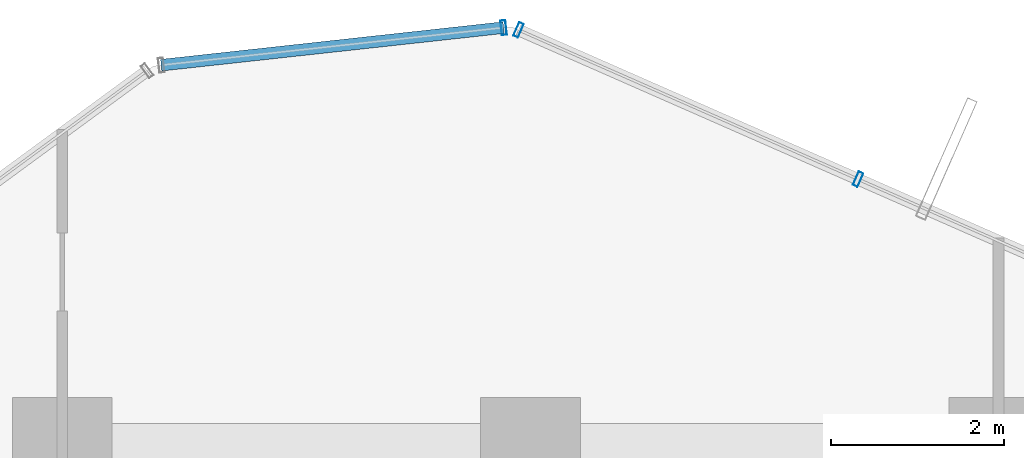
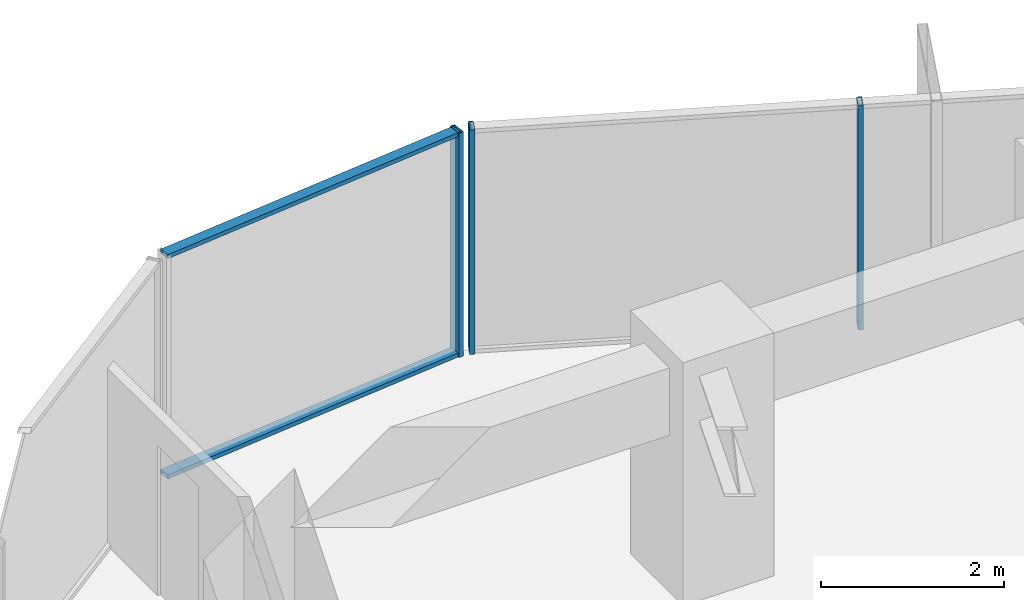
# One storey, part 26 of 34: 5 members, 2 elements without a shape of their own.
"""IFC4 building model written with IfcOpenShell, lengths in metres."""

from ifc_helpers import new_model, si_unit, direction, frame, origin, origin_2d, place, context, subcontext, project, spatial, hollow_rectangle, extrude, source, transform, mapped, material, layer, layer_set, material_profile, profile_set, type_object, element, aggregate, save


model = new_model("IFC4")

# Units and contexts
model_context = context("Model", 3, precision=1e-05, world=origin(), true_north=direction((0.0, 1.0)))
body_context = subcontext(model_context, "Body", "Model", "MODEL_VIEW")
ifc_project = project(units=[si_unit("LENGTHUNIT", "METRE"), si_unit("AREAUNIT", "SQUARE_METRE"), si_unit("VOLUMEUNIT", "CUBIC_METRE"), si_unit("PLANEANGLEUNIT", "RADIAN"), si_unit("MASSUNIT", "GRAM", prefix="KILO")], contexts=[model_context])

# Site, building, storey
site_placement = place(None, origin())
site = spatial("IfcSite", under=ifc_project, at=site_placement, CompositionType="ELEMENT")
building_placement = place(site_placement, origin())
building = spatial("IfcBuilding", under=site, at=building_placement, Name="Veraguas Prism Commons", CompositionType="ELEMENT")
storey_placement = place(building_placement, frame((0.0, 0.0, 149.0)))
storey = spatial("IfcBuildingStorey", under=building, at=storey_placement, Name="L42", CompositionType="ELEMENT", Elevation=149.0)

# Curtain wall, members
ifc_material = material(Name="Anodised aluminium EN AW-6063 T6", Category="aluminium")
ifc_layer = layer(ifc_material, 0.169921875, Name="Unitised Flush Curtain Wall Zone 2", Category="aluminium")
ifc_layer_set = layer_set([ifc_layer], Name="Anodised aluminium EN AW-6063 T6")
curtain_wall_type = type_object("IfcCurtainWallType", Name="Unitised Flush Curtain Wall Zone 2", PredefinedType="NOTDEFINED", material=ifc_layer_set)
curtain_wall_1_placement = place(storey_placement, origin())
curtain_wall_1 = element("IfcCurtainWall", 1, at=curtain_wall_1_placement, inside=storey, type_object=curtain_wall_type, Name="Tower Facade Curtain Wall L42-F1", PredefinedType="NOTDEFINED")
ifc_material_profile_1 = material_profile(ifc_material, hollow_rectangle(XDim=0.06005859375, YDim=0.169921875, WallThickness=0.00390625, at=origin_2d()), Name="AL60X170X4")
ifc_profile_set_1 = profile_set([ifc_material_profile_1], Name="Anodised aluminium EN AW-6063 T6")
member_type_1 = type_object("IfcMemberType", Name="Curtain Wall Mullion Lower AL 60x170x4", PredefinedType="MULLION", material=ifc_profile_set_1)
shared_shape_1 = source(origin(), body_context, "Body", "SweptSolid", [
    extrude(hollow_rectangle(XDim=0.06005859375, YDim=0.169921875, WallThickness=0.00390625, at=origin_2d()), origin(), (0.0, 0.0, 1.0), 3.0),
])
member_1_placement = place(storey_placement, frame((27.778564453125, 43.2939453125, 0.0), z_axis=(0.0, 0.0, 1.0), x_axis=(-0.915385270935, 0.402578943507, 0.0)))
member_1 = element("IfcMember", 2, at=member_1_placement, type_object=member_type_1, Name="CW-Z2 Mullion 4", PredefinedType="MULLION", context=body_context, shape_type="MappedRepresentation", body=[
    mapped(shared_shape_1, transform((0.0, 0.0, 0.0), scale=1.0)),
])
member_2_placement = place(storey_placement, frame((23.862060546875, 45.016357421875, 0.0), z_axis=(0.0, 0.0, 1.0), x_axis=(-0.915385270935, 0.402578943507, 0.0)))
member_2 = element("IfcMember", 3, at=member_2_placement, type_object=member_type_1, Name="CW-Z2 Mullion 5", PredefinedType="MULLION", context=body_context, shape_type="MappedRepresentation", body=[
    mapped(shared_shape_1, transform((0.0, 0.0, 0.0), scale=1.0)),
])
aggregate(curtain_wall_1, [member_1, member_2])

curtain_wall_2_placement = place(storey_placement, origin())
curtain_wall_2 = element("IfcCurtainWall", 4, at=curtain_wall_2_placement, inside=storey, type_object=curtain_wall_type, Name="Chamfer Curtain Wall L42-C2", PredefinedType="NOTDEFINED")
member_3_placement = place(storey_placement, frame((23.690185546875, 45.042724609375, 0.0), z_axis=(0.0, 0.0, 1.0), x_axis=(-0.994034276859, -0.10906812747, 0.0)))
member_3 = element("IfcMember", 5, at=member_3_placement, type_object=member_type_1, Name="CW-Z2 Mullion 1", PredefinedType="MULLION", context=body_context, shape_type="MappedRepresentation", body=[
    mapped(shared_shape_1, transform((0.0, 0.0, 0.0), scale=1.0)),
])
ifc_material_profile_2 = material_profile(ifc_material, hollow_rectangle(XDim=0.054931640625, YDim=0.135009765625, WallThickness=0.0029296875, at=origin_2d()), Name="AL55X135X3")
ifc_profile_set_2 = profile_set([ifc_material_profile_2], Name="Anodised aluminium EN AW-6063 T6")
member_type_2 = type_object("IfcMemberType", Name="Curtain Wall Transom Standard AL 55x135x3", PredefinedType="USERDEFINED", material=ifc_profile_set_2)
shared_shape_2 = source(origin(), body_context, "Body", "SweptSolid", [
    extrude(hollow_rectangle(XDim=0.054931640625, YDim=0.135009765625, WallThickness=0.0029296875, at=origin_2d()), origin(), (0.0, 0.0, 1.0), 3.97314453125),
])
member_4_placement = place(storey_placement, frame((23.690185546875, 45.042724609375, 0.027587890625), z_axis=(-0.994034171347, -0.109069089086, 0.0), x_axis=(0.0, 0.0, 1.0)))
member_4 = element("IfcMember", 6, at=member_4_placement, type_object=member_type_2, Name="CW-Z2 Transom 1", ObjectType="TRANSOM", PredefinedType="USERDEFINED", context=body_context, shape_type="MappedRepresentation", body=[
    mapped(shared_shape_2, transform((0.0, 0.0, 0.0), scale=1.0)),
])
member_5_placement = place(storey_placement, frame((23.690185546875, 45.042724609375, 2.972412109375), z_axis=(-0.994034171347, -0.109069089086, 0.0), x_axis=(0.0, 0.0, 1.0)))
member_5 = element("IfcMember", 7, at=member_5_placement, type_object=member_type_2, Name="CW-Z2 Transom 2", ObjectType="TRANSOM", PredefinedType="USERDEFINED", context=body_context, shape_type="MappedRepresentation", body=[
    mapped(shared_shape_2, transform((0.0, 0.0, 0.0), scale=1.0)),
])
aggregate(curtain_wall_2, [member_3, member_4, member_5])

save(model, "model.ifc")
